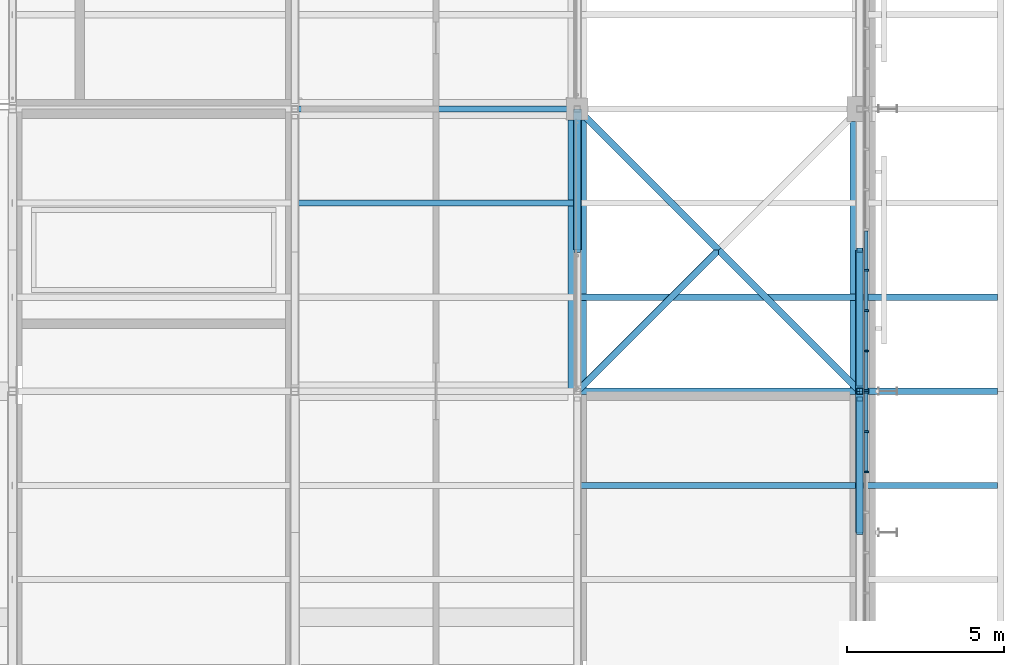
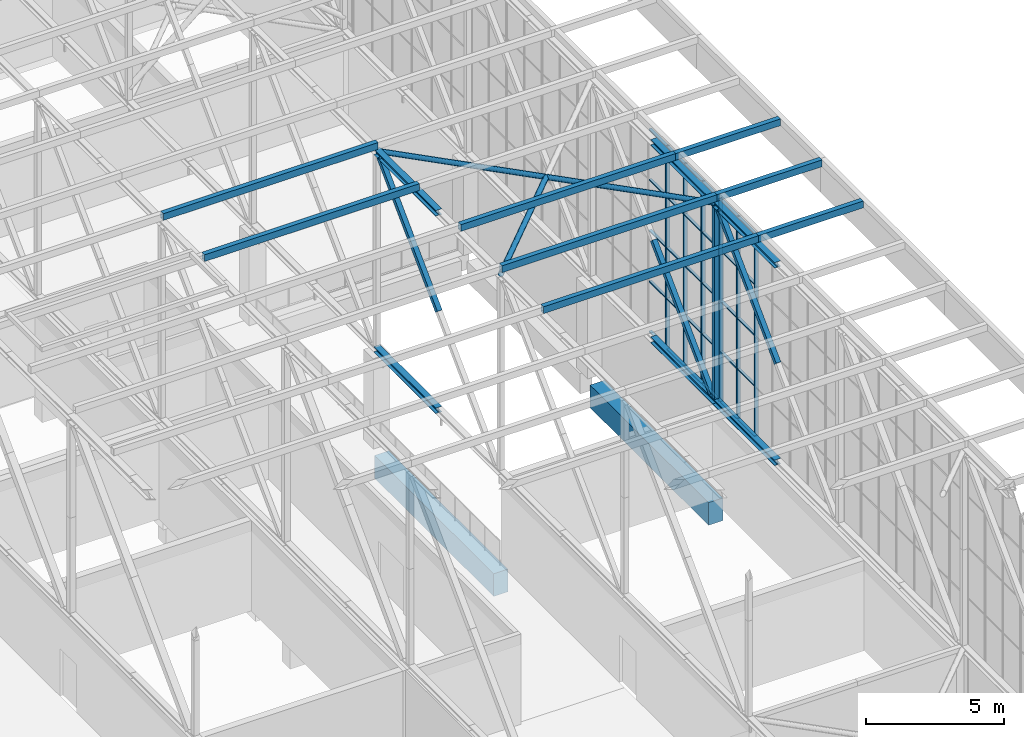
# One storey, part 106 of 646: 59 members, 2 beams, 2 elements without a shape of their own.
"""IFC4 building model written with IfcOpenShell, lengths in metres."""

from ifc_helpers import new_model, si_unit, direction, frame, origin, origin_2d, place, context, subcontext, project, spatial, rectangle, hollow_rectangle, hollow_circle, i_section, extrude, material, material_profile, profile_set, type_object, element, aggregate, save


model = new_model("IFC4")

# Units and contexts
model_context = context("Model", 3, precision=1e-05, world=origin(), true_north=direction((0.0, 1.0)))
body_context = subcontext(model_context, "Body", "Model", "MODEL_VIEW")
ifc_project = project(units=[si_unit("LENGTHUNIT", "METRE"), si_unit("AREAUNIT", "SQUARE_METRE"), si_unit("VOLUMEUNIT", "CUBIC_METRE"), si_unit("PLANEANGLEUNIT", "RADIAN"), si_unit("MASSUNIT", "GRAM", prefix="KILO")], contexts=[model_context])

# Site, building, storey
site_placement = place(None, origin())
site = spatial("IfcSite", under=ifc_project, at=site_placement, CompositionType="ELEMENT")
building_placement = place(site_placement, origin())
building = spatial("IfcBuilding", under=site, at=building_placement, Name="Silverbay Arena", CompositionType="ELEMENT")
storey_placement = place(building_placement, frame((0.0, 0.0, 33.5)))
storey = spatial("IfcBuildingStorey", under=building, at=storey_placement, Name="L05", CompositionType="ELEMENT", Elevation=33.5)

# Curtain wall, members
ifc_material_1 = material(Name="Aluminium framed glazing", Category="aluminium")
curtain_wall_type = type_object("IfcCurtainWallType", Name="Curtain wall clerestory 9000 x 9000", PredefinedType="NOTDEFINED", material=ifc_material_1)
curtain_wall_1_placement = place(storey_placement, origin())
curtain_wall_1 = element("IfcCurtainWall", 1, at=curtain_wall_1_placement, inside=storey, type_object=curtain_wall_type, Name="ROOF GABLE CLERESTORY CURTAIN WALL east bay 11", PredefinedType="NOTDEFINED")
ifc_material_2 = material(Name="Aluminium", Category="aluminium")
ifc_material_profile_1 = material_profile(ifc_material_2, rectangle(XDim=0.159912109375, YDim=0.06005859375, at=origin_2d()), Name="Mullion 60 x 160")
ifc_profile_set_1 = profile_set([ifc_material_profile_1], Name="Aluminium")
member_type_1 = type_object("IfcMemberType", Name="Mullion 60 x 160", PredefinedType="MULLION", material=ifc_profile_set_1)
member_1_placement = place(storey_placement, frame((207.2099609375, 105.428466796875, 4.0), z_axis=(0.0, 0.0, 1.0), x_axis=(-1.0, 0.0, 0.0)))
member_1 = element("IfcMember", 2, at=member_1_placement, type_object=member_type_1, Name="CW60 mullion 6", PredefinedType="MULLION", context=body_context, shape_type="SweptSolid", body=[
    extrude(rectangle(XDim=0.159912109375, YDim=0.06005859375, at=origin_2d()), origin(), (0.0, 0.0, 1.0), 9.0),
])
member_2_placement = place(storey_placement, frame((207.2099609375, 106.71435546875, 4.0), z_axis=(0.0, 0.0, 1.0), x_axis=(-1.0, 0.0, 0.0)))
member_2 = element("IfcMember", 3, at=member_2_placement, type_object=member_type_1, Name="CW60 mullion 7", PredefinedType="MULLION", context=body_context, shape_type="SweptSolid", body=[
    extrude(rectangle(XDim=0.159912109375, YDim=0.06005859375, at=origin_2d()), origin(), (0.0, 0.0, 1.0), 9.0),
])
member_3_placement = place(storey_placement, frame((207.2099609375, 107.969970703125, 4.0), z_axis=(0.0, 0.0, 1.0), x_axis=(-1.0, 0.0, 0.0)))
member_3 = element("IfcMember", 4, at=member_3_placement, type_object=member_type_1, Name="CW60 mullion 8", PredefinedType="MULLION", context=body_context, shape_type="SweptSolid", body=[
    extrude(rectangle(XDim=0.159912109375, YDim=0.06005859375, at=origin_2d()), origin(), (0.0, 0.0, 1.0), 9.0),
])

curtain_wall_2_placement = place(storey_placement, origin())
curtain_wall_2 = element("IfcCurtainWall", 5, at=curtain_wall_2_placement, inside=storey, type_object=curtain_wall_type, Name="ROOF GABLE CLERESTORY CURTAIN WALL east bay 12", PredefinedType="NOTDEFINED")
member_4_placement = place(storey_placement, frame((207.2099609375, 108.030029296875, 4.0), z_axis=(0.0, 0.0, 1.0), x_axis=(-1.0, 0.0, 0.0)))
member_4 = element("IfcMember", 6, at=member_4_placement, type_object=member_type_1, Name="CW60 mullion 1", PredefinedType="MULLION", context=body_context, shape_type="SweptSolid", body=[
    extrude(rectangle(XDim=0.159912109375, YDim=0.06005859375, at=origin_2d()), origin(), (0.0, 0.0, 1.0), 9.0),
])
member_5_placement = place(storey_placement, frame((207.2099609375, 109.28564453125, 4.0), z_axis=(0.0, 0.0, 1.0), x_axis=(-1.0, 0.0, 0.0)))
member_5 = element("IfcMember", 7, at=member_5_placement, type_object=member_type_1, Name="CW60 mullion 2", PredefinedType="MULLION", context=body_context, shape_type="SweptSolid", body=[
    extrude(rectangle(XDim=0.159912109375, YDim=0.06005859375, at=origin_2d()), origin(), (0.0, 0.0, 1.0), 9.0),
])
member_6_placement = place(storey_placement, frame((207.2099609375, 110.571533203125, 4.0), z_axis=(0.0, 0.0, 1.0), x_axis=(-1.0, 0.0, 0.0)))
member_6 = element("IfcMember", 8, at=member_6_placement, type_object=member_type_1, Name="CW60 mullion 3", PredefinedType="MULLION", context=body_context, shape_type="SweptSolid", body=[
    extrude(rectangle(XDim=0.159912109375, YDim=0.06005859375, at=origin_2d()), origin(), (0.0, 0.0, 1.0), 9.0),
])
member_7_placement = place(storey_placement, frame((207.2099609375, 111.857177734375, 4.0), z_axis=(0.0, 0.0, 1.0), x_axis=(-1.0, 0.0, 0.0)))
member_7 = element("IfcMember", 9, at=member_7_placement, type_object=member_type_1, Name="CW60 mullion 4", PredefinedType="MULLION", context=body_context, shape_type="SweptSolid", body=[
    extrude(rectangle(XDim=0.159912109375, YDim=0.06005859375, at=origin_2d()), origin(), (0.0, 0.0, 1.0), 9.0),
])

# Members
ifc_material_3 = material(Name="Steel S355", Category="steel")
ifc_material_profile_2 = material_profile(ifc_material_3, hollow_circle(Radius=0.109619140625, WallThickness=0.00634765625, at=origin_2d()), Name="CHS 219.1x6.3")
ifc_profile_set_2 = profile_set([ifc_material_profile_2], Name="Steel S355")
member_type_2 = type_object("IfcMemberType", Name="Plan bracing CHS 219.1x6.3", PredefinedType="BRACE", material=ifc_profile_set_2)
for number, where, z_axis, x_axis, name in (
    (10, (198.0, 108.0, 12.873046875), (0.707106781187, 0.707106781187, 0.0), (-0.707106781187, 0.707106781187, 0.0), "ROOF BRACING top 23-24 panel 12 Aa"),
    (11, (198.0, 117.0, 12.873046875), (0.707106781187, -0.707106781187, 0.0), (0.707106781187, 0.707106781187, 0.0), "ROOF BRACING top 23-24 panel 12 Ba"),
    (12, (202.5, 112.5, 12.873046875), (0.707106781187, -0.707106781187, 0.0), (0.707106781187, 0.707106781187, 0.0), "ROOF BRACING top 23-24 panel 12 Bb"),
):
    element("IfcMember", number, at=place(storey_placement, frame(where, z_axis=z_axis, x_axis=x_axis)), inside=storey, type_object=member_type_2, Name=name, PredefinedType="BRACE", context=body_context, shape_type="SweptSolid", body=[
        extrude(hollow_circle(Radius=0.109619140625, WallThickness=0.00634765625, at=origin_2d()), origin(), (0.0, 0.0, 1.0), 6.364013671875),
    ])
ifc_material_4 = material(Name="Steel S355", Category="steel")
ifc_material_profile_3 = material_profile(ifc_material_4, hollow_rectangle(XDim=0.199951171875, YDim=0.300048828125, WallThickness=0.00634765625, at=origin_2d()), Name="RHS 300x200x6.3")
ifc_profile_set_3 = profile_set([ifc_material_profile_3], Name="Steel S355")
member_type_3 = type_object("IfcMemberType", Name="Purlin RHS 300x200x6.3", PredefinedType="PURLIN", material=ifc_profile_set_3)
for number, where, z_axis, x_axis, name in (
    (13, (189.0, 114.0, 13.14990234375), (1.0, 0.0, 0.0), (0.0, 1.0, 0.0), "ROOF PURLIN 22-23 line 36"),
    (14, (189.0, 117.0, 13.14990234375), (1.0, 0.0, 0.0), (0.0, 1.0, 0.0), "ROOF PURLIN 22-23 line 37"),
):
    element("IfcMember", number, at=place(storey_placement, frame(where, z_axis=z_axis, x_axis=x_axis)), inside=storey, type_object=member_type_3, Name=name, PredefinedType="PURLIN", context=body_context, shape_type="SweptSolid", body=[
        extrude(hollow_rectangle(XDim=0.199951171875, YDim=0.300048828125, WallThickness=0.00634765625, at=origin_2d()), origin(), (0.0, 0.0, 1.0), 9.0),
    ])
ifc_material_5 = material(Name="Steel S355", Category="steel")
ifc_material_profile_4 = material_profile(ifc_material_5, hollow_rectangle(XDim=0.199951171875, YDim=0.300048828125, WallThickness=0.008056640625, at=origin_2d()), Name="RHS 300x200x8")
ifc_profile_set_4 = profile_set([ifc_material_profile_4], Name="Steel S355")
member_type_4 = type_object("IfcMemberType", Name="Purlin RHS 300x200x8", PredefinedType="PURLIN", material=ifc_profile_set_4)
for number, where, z_axis, x_axis, name in (
    (15, (198.0, 105.0, 13.14990234375), (1.0, 0.0, 0.0), (0.0, 1.0, 0.0), "ROOF PURLIN 23-24 line 33"),
    (16, (198.0, 108.0, 13.14990234375), (1.0, 0.0, 0.0), (0.0, 1.0, 0.0), "ROOF PURLIN 23-24 line 34"),
    (17, (198.0, 111.0, 13.14990234375), (1.0, 0.0, 0.0), (0.0, 1.0, 0.0), "ROOF PURLIN 23-24 line 35"),
):
    element("IfcMember", number, at=place(storey_placement, frame(where, z_axis=z_axis, x_axis=x_axis)), inside=storey, type_object=member_type_4, Name=name, PredefinedType="PURLIN", context=body_context, shape_type="SweptSolid", body=[
        extrude(hollow_rectangle(XDim=0.199951171875, YDim=0.300048828125, WallThickness=0.008056640625, at=origin_2d()), origin(), (0.0, 0.0, 1.0), 9.0),
    ])
for number, where, z_axis, x_axis, name in (
    (18, (211.39990234375, 105.0, 13.14990234375), (-1.0, 0.0, 0.0), (0.0, -1.0, 0.0), "ROOF PURLIN east eave line 33"),
    (19, (211.39990234375, 108.0, 13.14990234375), (-1.0, 0.0, 0.0), (0.0, -1.0, 0.0), "ROOF PURLIN east eave line 34"),
    (20, (211.39990234375, 111.0, 13.14990234375), (-1.0, 0.0, 0.0), (0.0, -1.0, 0.0), "ROOF PURLIN east eave line 35"),
):
    element("IfcMember", number, at=place(storey_placement, frame(where, z_axis=z_axis, x_axis=x_axis)), inside=storey, type_object=member_type_4, Name=name, PredefinedType="PURLIN", context=body_context, shape_type="SweptSolid", body=[
        extrude(hollow_rectangle(XDim=0.199951171875, YDim=0.300048828125, WallThickness=0.008056640625, at=origin_2d()), origin(), (0.0, 0.0, 1.0), 4.39990234375),
    ])

# Beams
ifc_material_6 = material(Name="Concrete Grade C45", Category="concrete")
ifc_material_profile_5 = material_profile(ifc_material_6, rectangle(XDim=0.60009765625, YDim=1.0, at=origin_2d()), Name="RC 600x1000")
ifc_profile_set_5 = profile_set([ifc_material_profile_5], Name="Concrete Grade C45")
beam_type = type_object("IfcBeamType", Name="RC beam 600x1000", PredefinedType="BEAM", material=ifc_profile_set_5)
beam_1_placement = place(storey_placement, frame((198.0, 108.0, -0.800048828125), z_axis=(0.0, 1.0, 0.0), x_axis=(-1.0, 0.0, 0.0)))
element("IfcBeam", 21, at=beam_1_placement, inside=storey, type_object=beam_type, Name="Floor beam L05 144", PredefinedType="BEAM", context=body_context, shape_type="SweptSolid", body=[
    extrude(rectangle(XDim=0.60009765625, YDim=1.0, at=origin_2d()), origin(), (0.0, 0.0, 1.0), 8.64990234375),
])
beam_2_placement = place(storey_placement, frame((207.0, 108.0, -0.800048828125), z_axis=(0.0, 1.0, 0.0), x_axis=(-1.0, 0.0, 0.0)))
element("IfcBeam", 22, at=beam_2_placement, inside=storey, type_object=beam_type, Name="Floor beam L05 152", PredefinedType="BEAM", context=body_context, shape_type="SweptSolid", body=[
    extrude(rectangle(XDim=0.60009765625, YDim=1.0, at=origin_2d()), origin(), (0.0, 0.0, 1.0), 8.60009765625),
])

# Members
ifc_material_7 = material(Name="Steel S355", Category="steel")
ifc_material_profile_6 = material_profile(ifc_material_7, i_section(OverallWidth=0.254638671875, OverallDepth=0.254150390625, WebThickness=0.008544921875, FlangeThickness=0.01416015625, at=origin_2d()), Name="UC 254x254x73")
ifc_profile_set_6 = profile_set([ifc_material_profile_6], Name="Steel S355")
member_type_5 = type_object("IfcMemberType", Name="Short-span bottom chord UC 254x254x73", PredefinedType="CHORD", material=ifc_profile_set_6)
for number, where, z_axis, x_axis, name in (
    (23, (198.0, 112.5, 4.126953125), (0.0, 1.0, 0.0), (-1.0, 0.0, 0.0), "ROOF TRUSS 23 bottom chord 12b"),
    (24, (207.0, 103.5, 4.126953125), (0.0, 1.0, 0.0), (-1.0, 0.0, 0.0), "ROOF TRUSS 24 bottom chord 11b"),
    (25, (207.0, 108.0, 4.126953125), (0.0, 1.0, 0.0), (-1.0, 0.0, 0.0), "ROOF TRUSS 24 bottom chord 12a"),
):
    element("IfcMember", number, at=place(storey_placement, frame(where, z_axis=z_axis, x_axis=x_axis)), inside=storey, type_object=member_type_5, Name=name, PredefinedType="CHORD", context=body_context, shape_type="SweptSolid", body=[
        extrude(i_section(OverallWidth=0.254638671875, OverallDepth=0.254150390625, WebThickness=0.008544921875, FlangeThickness=0.01416015625, at=origin_2d()), origin(), (0.0, 0.0, 1.0), 4.5),
    ])
ifc_material_8 = material(Name="Steel S355", Category="steel")
ifc_material_profile_7 = material_profile(ifc_material_8, i_section(OverallWidth=0.254638671875, OverallDepth=0.254150390625, WebThickness=0.008544921875, FlangeThickness=0.01416015625, at=origin_2d()), Name="UC 254x254x73")
ifc_profile_set_7 = profile_set([ifc_material_profile_7], Name="Steel S355")
member_type_6 = type_object("IfcMemberType", Name="Short-span top chord UC 254x254x73", PredefinedType="CHORD", material=ifc_profile_set_7)
for number, where, z_axis, x_axis, name in (
    (26, (198.0, 112.5, 12.873046875), (0.0, 1.0, 0.0), (-1.0, 0.0, 0.0), "ROOF TRUSS 23 top chord 12b"),
    (27, (207.0, 103.5, 12.873046875), (0.0, 1.0, 0.0), (-1.0, 0.0, 0.0), "ROOF TRUSS 24 top chord 11b"),
    (28, (207.0, 108.0, 12.873046875), (0.0, 1.0, 0.0), (-1.0, 0.0, 0.0), "ROOF TRUSS 24 top chord 12a"),
):
    element("IfcMember", number, at=place(storey_placement, frame(where, z_axis=z_axis, x_axis=x_axis)), inside=storey, type_object=member_type_6, Name=name, PredefinedType="CHORD", context=body_context, shape_type="SweptSolid", body=[
        extrude(i_section(OverallWidth=0.254638671875, OverallDepth=0.254150390625, WebThickness=0.008544921875, FlangeThickness=0.01416015625, at=origin_2d()), origin(), (0.0, 0.0, 1.0), 4.5),
    ])
ifc_material_9 = material(Name="Steel S355", Category="steel")
ifc_material_profile_8 = material_profile(ifc_material_9, hollow_rectangle(XDim=0.199951171875, YDim=0.199951171875, WallThickness=0.008056640625, at=origin_2d()), Name="SHS 200x200x8")
ifc_profile_set_8 = profile_set([ifc_material_profile_8], Name="Steel S355")
member_type_7 = type_object("IfcMemberType", Name="Short-span truss diagonal SHS 200x200x8", PredefinedType="BRACE", material=ifc_profile_set_8)
member_8_placement = place(storey_placement, frame((198.0, 116.75439453125, 12.745849609375), z_axis=(0.0, -0.70781724692, -0.706395600894), x_axis=(1.0, 0.0, 0.0)))
element("IfcMember", 29, at=member_8_placement, inside=storey, type_object=member_type_7, Name="ROOF TRUSS 23 diagonal 12a", PredefinedType="BRACE", context=body_context, shape_type="SweptSolid", body=[
    extrude(hollow_rectangle(XDim=0.199951171875, YDim=0.199951171875, WallThickness=0.008056640625, at=origin_2d()), origin(), (0.0, 0.0, 1.0), 6.010498046875),
])
member_9_placement = place(storey_placement, frame((207.0, 107.75439453125, 12.745849609375), z_axis=(0.0, -0.707411529143, -0.706801901834), x_axis=(1.0, 0.0, 0.0)))
element("IfcMember", 30, at=member_9_placement, inside=storey, type_object=member_type_7, Name="ROOF TRUSS 24 diagonal 11a", PredefinedType="BRACE", context=body_context, shape_type="SweptSolid", body=[
    extrude(hollow_rectangle(XDim=0.199951171875, YDim=0.199951171875, WallThickness=0.008056640625, at=origin_2d()), origin(), (0.0, 0.0, 1.0), 6.007080078125),
])
member_10_placement = place(storey_placement, frame((207.0, 112.5, 8.5), z_axis=(0.0, -0.70781724692, -0.706395600894), x_axis=(1.0, 0.0, 0.0)))
element("IfcMember", 31, at=member_10_placement, inside=storey, type_object=member_type_7, Name="ROOF TRUSS 24 diagonal 12b", PredefinedType="BRACE", context=body_context, shape_type="SweptSolid", body=[
    extrude(hollow_rectangle(XDim=0.199951171875, YDim=0.199951171875, WallThickness=0.008056640625, at=origin_2d()), origin(), (0.0, 0.0, 1.0), 6.010498046875),
])
ifc_material_10 = material(Name="Steel S355", Category="steel")
ifc_material_profile_9 = material_profile(ifc_material_10, hollow_rectangle(XDim=0.199951171875, YDim=0.199951171875, WallThickness=0.008056640625, at=origin_2d()), Name="SHS 200x200x8")
ifc_profile_set_9 = profile_set([ifc_material_profile_9], Name="Steel S355")
member_type_8 = type_object("IfcMemberType", Name="Short-span truss vertical SHS 200x200x8", PredefinedType="STRUT", material=ifc_profile_set_9)
for number, where, z_axis, x_axis, name in (
    (32, (207.0, 108.0, 4.254150390625), (0.0, 0.0, 1.0), (1.0, 0.0, 0.0), "ROOF TRUSS 24 vertical 12a"),
    (33, (207.0, 108.0, 8.5), (0.0, 0.0, 1.0), (1.0, 0.0, 0.0), "ROOF TRUSS 24 vertical 12b"),
):
    element("IfcMember", number, at=place(storey_placement, frame(where, z_axis=z_axis, x_axis=x_axis)), inside=storey, type_object=member_type_8, Name=name, PredefinedType="STRUT", context=body_context, shape_type="SweptSolid", body=[
        extrude(hollow_rectangle(XDim=0.199951171875, YDim=0.199951171875, WallThickness=0.008056640625, at=origin_2d()), origin(), (0.0, 0.0, 1.0), 4.245849609375),
    ])

# Member
ifc_material_11 = material(Name="Aluminium", Category="aluminium")
ifc_material_profile_10 = material_profile(ifc_material_11, rectangle(XDim=0.1201171875, YDim=0.050048828125, at=origin_2d()), Name="Transom 50 x 120")
ifc_profile_set_10 = profile_set([ifc_material_profile_10], Name="Aluminium")
member_type_9 = type_object("IfcMemberType", Name="Transom 50 x 120", PredefinedType="USERDEFINED", material=ifc_profile_set_10)
member_11_placement = place(storey_placement, frame((207.2099609375, 105.45849609375, 4.02490234375), z_axis=(0.0, 1.0, 0.0), x_axis=(-1.0, 0.0, 0.0)))
member_11 = element("IfcMember", 34, at=member_11_placement, type_object=member_type_9, Name="CW60 transom 6.1", ObjectType="TRANSOM", PredefinedType="USERDEFINED", context=body_context, shape_type="SweptSolid", body=[
    extrude(rectangle(XDim=0.1201171875, YDim=0.050048828125, at=origin_2d()), origin(), (0.0, 0.0, 1.0), 1.225830078125),
])

member_12_placement = place(storey_placement, frame((207.2099609375, 105.45849609375, 6.25), z_axis=(0.0, 1.0, 0.0), x_axis=(-1.0, 0.0, 0.0)))
member_12 = element("IfcMember", 35, at=member_12_placement, type_object=member_type_9, Name="CW60 transom 6.2", ObjectType="TRANSOM", PredefinedType="USERDEFINED", context=body_context, shape_type="SweptSolid", body=[
    extrude(rectangle(XDim=0.1201171875, YDim=0.050048828125, at=origin_2d()), origin(), (0.0, 0.0, 1.0), 1.225830078125),
])

member_13_placement = place(storey_placement, frame((207.2099609375, 105.45849609375, 8.5), z_axis=(0.0, 1.0, 0.0), x_axis=(-1.0, 0.0, 0.0)))
member_13 = element("IfcMember", 36, at=member_13_placement, type_object=member_type_9, Name="CW60 transom 6.3", ObjectType="TRANSOM", PredefinedType="USERDEFINED", context=body_context, shape_type="SweptSolid", body=[
    extrude(rectangle(XDim=0.1201171875, YDim=0.050048828125, at=origin_2d()), origin(), (0.0, 0.0, 1.0), 1.225830078125),
])

member_14_placement = place(storey_placement, frame((207.2099609375, 105.45849609375, 10.75), z_axis=(0.0, 1.0, 0.0), x_axis=(-1.0, 0.0, 0.0)))
member_14 = element("IfcMember", 37, at=member_14_placement, type_object=member_type_9, Name="CW60 transom 6.4", ObjectType="TRANSOM", PredefinedType="USERDEFINED", context=body_context, shape_type="SweptSolid", body=[
    extrude(rectangle(XDim=0.1201171875, YDim=0.050048828125, at=origin_2d()), origin(), (0.0, 0.0, 1.0), 1.225830078125),
])

member_15_placement = place(storey_placement, frame((207.2099609375, 105.45849609375, 12.97509765625), z_axis=(0.0, 1.0, 0.0), x_axis=(-1.0, 0.0, 0.0)))
member_15 = element("IfcMember", 38, at=member_15_placement, type_object=member_type_9, Name="CW60 transom 6.5", ObjectType="TRANSOM", PredefinedType="USERDEFINED", context=body_context, shape_type="SweptSolid", body=[
    extrude(rectangle(XDim=0.1201171875, YDim=0.050048828125, at=origin_2d()), origin(), (0.0, 0.0, 1.0), 1.225830078125),
])

member_16_placement = place(storey_placement, frame((207.2099609375, 106.744384765625, 4.02490234375), z_axis=(0.0, 1.0, 0.0), x_axis=(-1.0, 0.0, 0.0)))
member_16 = element("IfcMember", 39, at=member_16_placement, type_object=member_type_9, Name="CW60 transom 7.1", ObjectType="TRANSOM", PredefinedType="USERDEFINED", context=body_context, shape_type="SweptSolid", body=[
    extrude(rectangle(XDim=0.1201171875, YDim=0.050048828125, at=origin_2d()), origin(), (0.0, 0.0, 1.0), 1.195556640625),
])

member_17_placement = place(storey_placement, frame((207.2099609375, 106.744384765625, 6.25), z_axis=(0.0, 1.0, 0.0), x_axis=(-1.0, 0.0, 0.0)))
member_17 = element("IfcMember", 40, at=member_17_placement, type_object=member_type_9, Name="CW60 transom 7.2", ObjectType="TRANSOM", PredefinedType="USERDEFINED", context=body_context, shape_type="SweptSolid", body=[
    extrude(rectangle(XDim=0.1201171875, YDim=0.050048828125, at=origin_2d()), origin(), (0.0, 0.0, 1.0), 1.195556640625),
])

member_18_placement = place(storey_placement, frame((207.2099609375, 106.744384765625, 8.5), z_axis=(0.0, 1.0, 0.0), x_axis=(-1.0, 0.0, 0.0)))
member_18 = element("IfcMember", 41, at=member_18_placement, type_object=member_type_9, Name="CW60 transom 7.3", ObjectType="TRANSOM", PredefinedType="USERDEFINED", context=body_context, shape_type="SweptSolid", body=[
    extrude(rectangle(XDim=0.1201171875, YDim=0.050048828125, at=origin_2d()), origin(), (0.0, 0.0, 1.0), 1.195556640625),
])

member_19_placement = place(storey_placement, frame((207.2099609375, 106.744384765625, 10.75), z_axis=(0.0, 1.0, 0.0), x_axis=(-1.0, 0.0, 0.0)))
member_19 = element("IfcMember", 42, at=member_19_placement, type_object=member_type_9, Name="CW60 transom 7.4", ObjectType="TRANSOM", PredefinedType="USERDEFINED", context=body_context, shape_type="SweptSolid", body=[
    extrude(rectangle(XDim=0.1201171875, YDim=0.050048828125, at=origin_2d()), origin(), (0.0, 0.0, 1.0), 1.195556640625),
])

member_20_placement = place(storey_placement, frame((207.2099609375, 106.744384765625, 12.97509765625), z_axis=(0.0, 1.0, 0.0), x_axis=(-1.0, 0.0, 0.0)))
member_20 = element("IfcMember", 43, at=member_20_placement, type_object=member_type_9, Name="CW60 transom 7.5", ObjectType="TRANSOM", PredefinedType="USERDEFINED", context=body_context, shape_type="SweptSolid", body=[
    extrude(rectangle(XDim=0.1201171875, YDim=0.050048828125, at=origin_2d()), origin(), (0.0, 0.0, 1.0), 1.195556640625),
])

aggregate(curtain_wall_1, [member_1, member_2, member_3, member_11, member_12, member_13, member_14, member_15, member_16, member_17, member_18, member_19, member_20])

member_21_placement = place(storey_placement, frame((207.2099609375, 108.06005859375, 4.02490234375), z_axis=(0.0, 1.0, 0.0), x_axis=(-1.0, 0.0, 0.0)))
member_21 = element("IfcMember", 44, at=member_21_placement, type_object=member_type_9, Name="CW60 transom 1.1", ObjectType="TRANSOM", PredefinedType="USERDEFINED", context=body_context, shape_type="SweptSolid", body=[
    extrude(rectangle(XDim=0.1201171875, YDim=0.050048828125, at=origin_2d()), origin(), (0.0, 0.0, 1.0), 1.195556640625),
])

member_22_placement = place(storey_placement, frame((207.2099609375, 108.06005859375, 6.25), z_axis=(0.0, 1.0, 0.0), x_axis=(-1.0, 0.0, 0.0)))
member_22 = element("IfcMember", 45, at=member_22_placement, type_object=member_type_9, Name="CW60 transom 1.2", ObjectType="TRANSOM", PredefinedType="USERDEFINED", context=body_context, shape_type="SweptSolid", body=[
    extrude(rectangle(XDim=0.1201171875, YDim=0.050048828125, at=origin_2d()), origin(), (0.0, 0.0, 1.0), 1.195556640625),
])

member_23_placement = place(storey_placement, frame((207.2099609375, 108.06005859375, 8.5), z_axis=(0.0, 1.0, 0.0), x_axis=(-1.0, 0.0, 0.0)))
member_23 = element("IfcMember", 46, at=member_23_placement, type_object=member_type_9, Name="CW60 transom 1.3", ObjectType="TRANSOM", PredefinedType="USERDEFINED", context=body_context, shape_type="SweptSolid", body=[
    extrude(rectangle(XDim=0.1201171875, YDim=0.050048828125, at=origin_2d()), origin(), (0.0, 0.0, 1.0), 1.195556640625),
])

member_24_placement = place(storey_placement, frame((207.2099609375, 108.06005859375, 10.75), z_axis=(0.0, 1.0, 0.0), x_axis=(-1.0, 0.0, 0.0)))
member_24 = element("IfcMember", 47, at=member_24_placement, type_object=member_type_9, Name="CW60 transom 1.4", ObjectType="TRANSOM", PredefinedType="USERDEFINED", context=body_context, shape_type="SweptSolid", body=[
    extrude(rectangle(XDim=0.1201171875, YDim=0.050048828125, at=origin_2d()), origin(), (0.0, 0.0, 1.0), 1.195556640625),
])

member_25_placement = place(storey_placement, frame((207.2099609375, 108.06005859375, 12.97509765625), z_axis=(0.0, 1.0, 0.0), x_axis=(-1.0, 0.0, 0.0)))
member_25 = element("IfcMember", 48, at=member_25_placement, type_object=member_type_9, Name="CW60 transom 1.5", ObjectType="TRANSOM", PredefinedType="USERDEFINED", context=body_context, shape_type="SweptSolid", body=[
    extrude(rectangle(XDim=0.1201171875, YDim=0.050048828125, at=origin_2d()), origin(), (0.0, 0.0, 1.0), 1.195556640625),
])

member_26_placement = place(storey_placement, frame((207.2099609375, 109.315673828125, 4.02490234375), z_axis=(0.0, 1.0, 0.0), x_axis=(-1.0, 0.0, 0.0)))
member_26 = element("IfcMember", 49, at=member_26_placement, type_object=member_type_9, Name="CW60 transom 2.1", ObjectType="TRANSOM", PredefinedType="USERDEFINED", context=body_context, shape_type="SweptSolid", body=[
    extrude(rectangle(XDim=0.1201171875, YDim=0.050048828125, at=origin_2d()), origin(), (0.0, 0.0, 1.0), 1.225830078125),
])

member_27_placement = place(storey_placement, frame((207.2099609375, 109.315673828125, 6.25), z_axis=(0.0, 1.0, 0.0), x_axis=(-1.0, 0.0, 0.0)))
member_27 = element("IfcMember", 50, at=member_27_placement, type_object=member_type_9, Name="CW60 transom 2.2", ObjectType="TRANSOM", PredefinedType="USERDEFINED", context=body_context, shape_type="SweptSolid", body=[
    extrude(rectangle(XDim=0.1201171875, YDim=0.050048828125, at=origin_2d()), origin(), (0.0, 0.0, 1.0), 1.225830078125),
])

member_28_placement = place(storey_placement, frame((207.2099609375, 109.315673828125, 8.5), z_axis=(0.0, 1.0, 0.0), x_axis=(-1.0, 0.0, 0.0)))
member_28 = element("IfcMember", 51, at=member_28_placement, type_object=member_type_9, Name="CW60 transom 2.3", ObjectType="TRANSOM", PredefinedType="USERDEFINED", context=body_context, shape_type="SweptSolid", body=[
    extrude(rectangle(XDim=0.1201171875, YDim=0.050048828125, at=origin_2d()), origin(), (0.0, 0.0, 1.0), 1.225830078125),
])

member_29_placement = place(storey_placement, frame((207.2099609375, 109.315673828125, 10.75), z_axis=(0.0, 1.0, 0.0), x_axis=(-1.0, 0.0, 0.0)))
member_29 = element("IfcMember", 52, at=member_29_placement, type_object=member_type_9, Name="CW60 transom 2.4", ObjectType="TRANSOM", PredefinedType="USERDEFINED", context=body_context, shape_type="SweptSolid", body=[
    extrude(rectangle(XDim=0.1201171875, YDim=0.050048828125, at=origin_2d()), origin(), (0.0, 0.0, 1.0), 1.225830078125),
])

member_30_placement = place(storey_placement, frame((207.2099609375, 109.315673828125, 12.97509765625), z_axis=(0.0, 1.0, 0.0), x_axis=(-1.0, 0.0, 0.0)))
member_30 = element("IfcMember", 53, at=member_30_placement, type_object=member_type_9, Name="CW60 transom 2.5", ObjectType="TRANSOM", PredefinedType="USERDEFINED", context=body_context, shape_type="SweptSolid", body=[
    extrude(rectangle(XDim=0.1201171875, YDim=0.050048828125, at=origin_2d()), origin(), (0.0, 0.0, 1.0), 1.225830078125),
])

member_31_placement = place(storey_placement, frame((207.2099609375, 110.601318359375, 4.02490234375), z_axis=(0.0, 1.0, 0.0), x_axis=(-1.0, 0.0, 0.0)))
member_31 = element("IfcMember", 54, at=member_31_placement, type_object=member_type_9, Name="CW60 transom 3.1", ObjectType="TRANSOM", PredefinedType="USERDEFINED", context=body_context, shape_type="SweptSolid", body=[
    extrude(rectangle(XDim=0.1201171875, YDim=0.050048828125, at=origin_2d()), origin(), (0.0, 0.0, 1.0), 1.225830078125),
])

member_32_placement = place(storey_placement, frame((207.2099609375, 110.601318359375, 6.25), z_axis=(0.0, 1.0, 0.0), x_axis=(-1.0, 0.0, 0.0)))
member_32 = element("IfcMember", 55, at=member_32_placement, type_object=member_type_9, Name="CW60 transom 3.2", ObjectType="TRANSOM", PredefinedType="USERDEFINED", context=body_context, shape_type="SweptSolid", body=[
    extrude(rectangle(XDim=0.1201171875, YDim=0.050048828125, at=origin_2d()), origin(), (0.0, 0.0, 1.0), 1.225830078125),
])

member_33_placement = place(storey_placement, frame((207.2099609375, 110.601318359375, 8.5), z_axis=(0.0, 1.0, 0.0), x_axis=(-1.0, 0.0, 0.0)))
member_33 = element("IfcMember", 56, at=member_33_placement, type_object=member_type_9, Name="CW60 transom 3.3", ObjectType="TRANSOM", PredefinedType="USERDEFINED", context=body_context, shape_type="SweptSolid", body=[
    extrude(rectangle(XDim=0.1201171875, YDim=0.050048828125, at=origin_2d()), origin(), (0.0, 0.0, 1.0), 1.225830078125),
])

member_34_placement = place(storey_placement, frame((207.2099609375, 110.601318359375, 10.75), z_axis=(0.0, 1.0, 0.0), x_axis=(-1.0, 0.0, 0.0)))
member_34 = element("IfcMember", 57, at=member_34_placement, type_object=member_type_9, Name="CW60 transom 3.4", ObjectType="TRANSOM", PredefinedType="USERDEFINED", context=body_context, shape_type="SweptSolid", body=[
    extrude(rectangle(XDim=0.1201171875, YDim=0.050048828125, at=origin_2d()), origin(), (0.0, 0.0, 1.0), 1.225830078125),
])

member_35_placement = place(storey_placement, frame((207.2099609375, 110.601318359375, 12.97509765625), z_axis=(0.0, 1.0, 0.0), x_axis=(-1.0, 0.0, 0.0)))
member_35 = element("IfcMember", 58, at=member_35_placement, type_object=member_type_9, Name="CW60 transom 3.5", ObjectType="TRANSOM", PredefinedType="USERDEFINED", context=body_context, shape_type="SweptSolid", body=[
    extrude(rectangle(XDim=0.1201171875, YDim=0.050048828125, at=origin_2d()), origin(), (0.0, 0.0, 1.0), 1.225830078125),
])

member_36_placement = place(storey_placement, frame((207.2099609375, 111.88720703125, 4.02490234375), z_axis=(0.0, 1.0, 0.0), x_axis=(-1.0, 0.0, 0.0)))
member_36 = element("IfcMember", 59, at=member_36_placement, type_object=member_type_9, Name="CW60 transom 4.1", ObjectType="TRANSOM", PredefinedType="USERDEFINED", context=body_context, shape_type="SweptSolid", body=[
    extrude(rectangle(XDim=0.1201171875, YDim=0.050048828125, at=origin_2d()), origin(), (0.0, 0.0, 1.0), 1.2255859375),
])

member_37_placement = place(storey_placement, frame((207.2099609375, 111.88720703125, 6.25), z_axis=(0.0, 1.0, 0.0), x_axis=(-1.0, 0.0, 0.0)))
member_37 = element("IfcMember", 60, at=member_37_placement, type_object=member_type_9, Name="CW60 transom 4.2", ObjectType="TRANSOM", PredefinedType="USERDEFINED", context=body_context, shape_type="SweptSolid", body=[
    extrude(rectangle(XDim=0.1201171875, YDim=0.050048828125, at=origin_2d()), origin(), (0.0, 0.0, 1.0), 1.2255859375),
])

member_38_placement = place(storey_placement, frame((207.2099609375, 111.88720703125, 8.5), z_axis=(0.0, 1.0, 0.0), x_axis=(-1.0, 0.0, 0.0)))
member_38 = element("IfcMember", 61, at=member_38_placement, type_object=member_type_9, Name="CW60 transom 4.3", ObjectType="TRANSOM", PredefinedType="USERDEFINED", context=body_context, shape_type="SweptSolid", body=[
    extrude(rectangle(XDim=0.1201171875, YDim=0.050048828125, at=origin_2d()), origin(), (0.0, 0.0, 1.0), 1.2255859375),
])

member_39_placement = place(storey_placement, frame((207.2099609375, 111.88720703125, 10.75), z_axis=(0.0, 1.0, 0.0), x_axis=(-1.0, 0.0, 0.0)))
member_39 = element("IfcMember", 62, at=member_39_placement, type_object=member_type_9, Name="CW60 transom 4.4", ObjectType="TRANSOM", PredefinedType="USERDEFINED", context=body_context, shape_type="SweptSolid", body=[
    extrude(rectangle(XDim=0.1201171875, YDim=0.050048828125, at=origin_2d()), origin(), (0.0, 0.0, 1.0), 1.2255859375),
])

member_40_placement = place(storey_placement, frame((207.2099609375, 111.88720703125, 12.97509765625), z_axis=(0.0, 1.0, 0.0), x_axis=(-1.0, 0.0, 0.0)))
member_40 = element("IfcMember", 63, at=member_40_placement, type_object=member_type_9, Name="CW60 transom 4.5", ObjectType="TRANSOM", PredefinedType="USERDEFINED", context=body_context, shape_type="SweptSolid", body=[
    extrude(rectangle(XDim=0.1201171875, YDim=0.050048828125, at=origin_2d()), origin(), (0.0, 0.0, 1.0), 1.2255859375),
])

aggregate(curtain_wall_2, [member_4, member_5, member_6, member_7, member_21, member_22, member_23, member_24, member_25, member_26, member_27, member_28, member_29, member_30, member_31, member_32, member_33, member_34, member_35, member_36, member_37, member_38, member_39, member_40])

save(model, "model.ifc")
